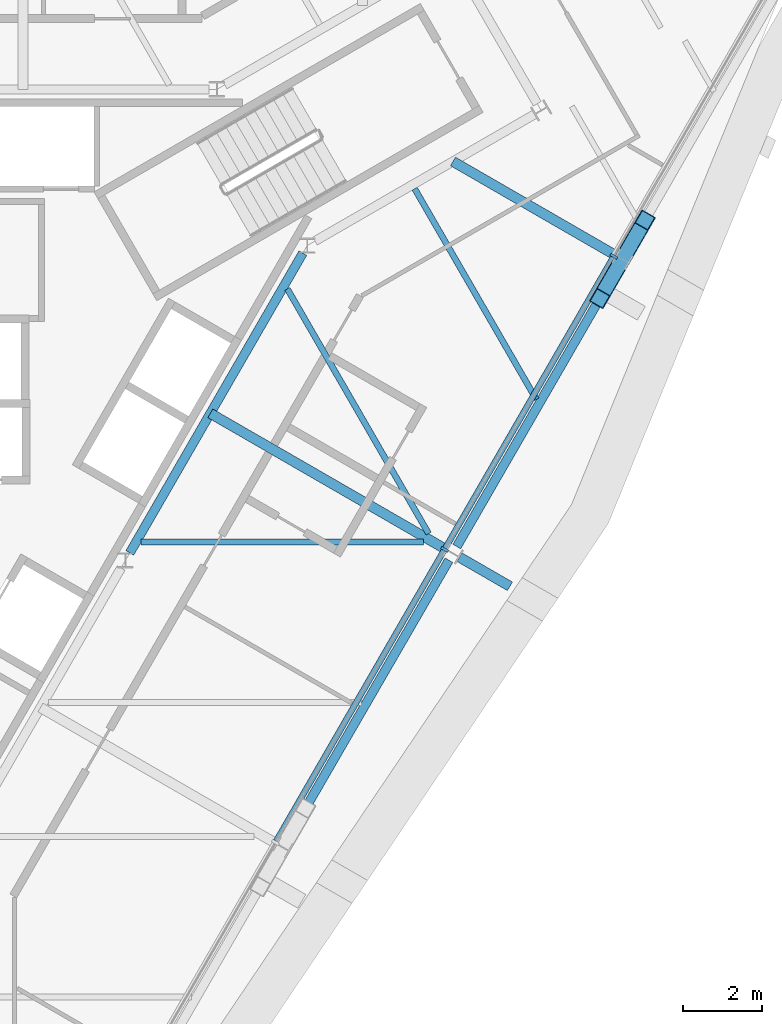
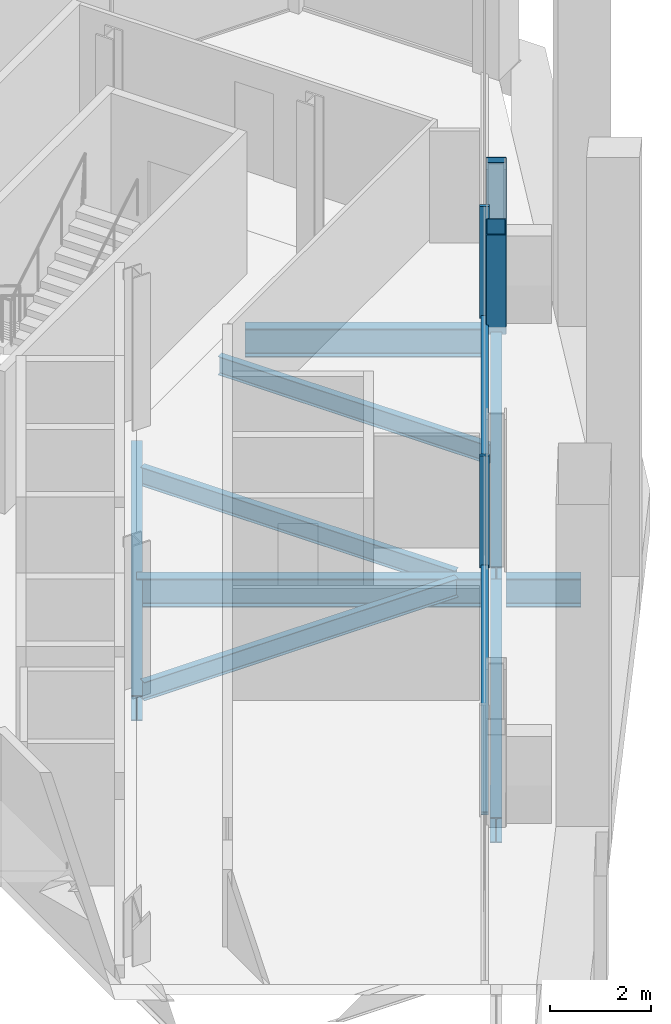
# One storey, part 4 of 14: 9 beams, 6 members, 1 element without a shape of its own.
"""IFC4 building model written with IfcOpenShell, lengths in metres."""

from ifc_helpers import new_model, si_unit, direction, frame, origin, origin_2d, place, context, subcontext, project, spatial, rectangle, hollow_rectangle, i_section, extrude, material, material_profile, profile_set, type_object, element, aggregate, save


model = new_model("IFC4")

# Units and contexts
model_context = context("Model", 3, precision=1e-05, world=origin(), true_north=direction((0.0, 1.0)))
body_context = subcontext(model_context, "Body", "Model", "MODEL_VIEW")
ifc_project = project(units=[si_unit("LENGTHUNIT", "METRE"), si_unit("AREAUNIT", "SQUARE_METRE"), si_unit("VOLUMEUNIT", "CUBIC_METRE"), si_unit("PLANEANGLEUNIT", "RADIAN"), si_unit("MASSUNIT", "GRAM", prefix="KILO")], contexts=[model_context])

# Site, building, storey
site_placement = place(None, origin())
site = spatial("IfcSite", under=ifc_project, at=site_placement, CompositionType="ELEMENT")
building_placement = place(site_placement, origin())
building = spatial("IfcBuilding", under=site, at=building_placement, Name="Verrane Prism Tower", CompositionType="ELEMENT")
storey_placement = place(building_placement, frame((0.0, 0.0, 206.39990234375)))
storey = spatial("IfcBuildingStorey", under=building, at=storey_placement, Name="L51", CompositionType="ELEMENT", Elevation=206.39990234375)

# Beam
ifc_material_1 = material(Name="Steel A992", Category="steel")
ifc_material_profile_1 = material_profile(ifc_material_1, i_section(OverallWidth=0.23046875, OverallDepth=0.6171875, WebThickness=0.01318359375, FlangeThickness=0.022216796875, FilletRadius=0.012939453125, at=origin_2d()), Name="W24x94")
ifc_profile_set_1 = profile_set([ifc_material_profile_1], Name="Steel A992")
beam_type_1 = type_object("IfcBeamType", Name="Core ring girder W24x94", PredefinedType="BEAM", material=ifc_profile_set_1)
beam_1_placement = place(storey_placement, frame((7.04150390625, -3.806884765625, -0.55859375), z_axis=(0.499967007444, 0.866044451208, 0.0), x_axis=(-0.866044451208, 0.499967007444, 0.0)))
element("IfcBeam", 1, at=beam_1_placement, inside=storey, type_object=beam_type_1, Name="Core ring girder L51", PredefinedType="BEAM", context=body_context, shape_type="SweptSolid", body=[
    extrude(i_section(OverallWidth=0.23046875, OverallDepth=0.6171875, WebThickness=0.01318359375, FlangeThickness=0.022216796875, FilletRadius=0.012939453125, at=origin_2d()), origin(), (0.0, 0.0, 1.0), 8.814453125),
])

# Members
ifc_material_2 = material(Name="Steel A500 Grade C", Category="steel")
ifc_material_profile_2 = material_profile(ifc_material_2, hollow_rectangle(XDim=0.406494140625, YDim=0.406494140625, WallThickness=0.01904296875, InnerFilletRadius=0.009521484375, OuterFilletRadius=0.028564453125, at=origin_2d()), Name="HSS16x16x3/4")
ifc_profile_set_2 = profile_set([ifc_material_profile_2], Name="Steel A500 Grade C")
member_type_1 = type_object("IfcMemberType", Name="Facade brace HSS16x16x3/4", PredefinedType="BRACE", material=ifc_profile_set_2)
for number, where, z_axis, x_axis, name in (
    (2, (19.54052734375, 3.583984375, -0.171630859375), (-0.158225916084, -0.274268053334, 0.948547096564), (0.86619331399, -0.499709058151, 0.0), "Facade brace SE3 L51"),
    (3, (19.639404296875, 3.755859375, -0.171630859375), (0.158222726519, 0.274336013979, 0.948527975469), (-0.866251253749, 0.499608612194, 0.0), "Facade brace SE4 L51"),
):
    element("IfcMember", number, at=place(storey_placement, frame(where, z_axis=z_axis, x_axis=x_axis)), inside=storey, type_object=member_type_1, Name=name, PredefinedType="BRACE", context=body_context, shape_type="SweptSolid", body=[
        extrude(hollow_rectangle(XDim=0.406494140625, YDim=0.406494140625, WallThickness=0.01904296875, InnerFilletRadius=0.009521484375, OuterFilletRadius=0.028564453125, at=origin_2d()), origin(), (0.0, 0.0, 1.0), 3.322021484375),
    ])

# Beams
ifc_material_3 = material(Name="Steel A992", Category="steel")
ifc_material_profile_3 = material_profile(ifc_material_3, i_section(OverallWidth=0.15234375, OverallDepth=0.449462890625, WebThickness=0.007568359375, FlangeThickness=0.0107421875, FilletRadius=0.01025390625, at=origin_2d()), Name="W18x35")
ifc_profile_set_3 = profile_set([ifc_material_profile_3], Name="Steel A992")
beam_type_2 = type_object("IfcBeamType", Name="Floor beam W18x35", PredefinedType="BEAM", material=ifc_profile_set_3)
beam_2_placement = place(storey_placement, frame((7.32958984375, -3.53662109375, -0.384765625), z_axis=(1.0, 0.0, 0.0), x_axis=(0.0, 1.0, 0.0)))
element("IfcBeam", 4, at=beam_2_placement, inside=storey, type_object=beam_type_2, Name="Floor beam L51", PredefinedType="BEAM", context=body_context, shape_type="SweptSolid", body=[
    extrude(i_section(OverallWidth=0.15234375, OverallDepth=0.449462890625, WebThickness=0.007568359375, FlangeThickness=0.0107421875, FilletRadius=0.01025390625, at=origin_2d()), origin(), (0.0, 0.0, 1.0), 7.19580078125),
])
beam_3_placement = place(storey_placement, frame((17.3974609375, 0.098876953125, -0.384765625), z_axis=(-0.499994080864, 0.866028821172, 0.0), x_axis=(-0.866028821172, -0.499994080864, 0.0)))
element("IfcBeam", 5, at=beam_3_placement, inside=storey, type_object=beam_type_2, Name="Floor beam L51", PredefinedType="BEAM", context=body_context, shape_type="SweptSolid", body=[
    extrude(i_section(OverallWidth=0.15234375, OverallDepth=0.449462890625, WebThickness=0.007568359375, FlangeThickness=0.0107421875, FilletRadius=0.01025390625, at=origin_2d()), origin(), (0.0, 0.0, 1.0), 6.1982421875),
])
beam_4_placement = place(storey_placement, frame((14.6533203125, -3.317138671875, -0.384765625), z_axis=(-0.500002364004, 0.866024038922, 0.0), x_axis=(-0.866024038922, -0.500002364004, 0.0)))
element("IfcBeam", 6, at=beam_4_placement, inside=storey, type_object=beam_type_2, Name="Floor beam L51", PredefinedType="BEAM", context=body_context, shape_type="SweptSolid", body=[
    extrude(i_section(OverallWidth=0.15234375, OverallDepth=0.449462890625, WebThickness=0.007568359375, FlangeThickness=0.0107421875, FilletRadius=0.01025390625, at=origin_2d()), origin(), (0.0, 0.0, 1.0), 7.19775390625),
])

# Curtain wall, members
ifc_material_4 = material(Name="Aluminium framed insulated glazing", Category="aluminium")
curtain_wall_type = type_object("IfcCurtainWallType", Name="Curtain wall CW-A 8400 module", PredefinedType="NOTDEFINED", material=ifc_material_4)
curtain_wall_placement = place(storey_placement, origin())
curtain_wall = element("IfcCurtainWall", 7, at=curtain_wall_placement, inside=storey, type_object=curtain_wall_type, Name="Glazed curtain wall south-east face L51", PredefinedType="NOTDEFINED")
ifc_material_5 = material(Name="Aluminium alloy 6063-T6", Category="aluminium")
ifc_material_profile_4 = material_profile(ifc_material_5, rectangle(XDim=0.199951171875, YDim=0.070068359375, at=origin_2d()), Name="Mullion 70x200 aluminium")
ifc_profile_set_4 = profile_set([ifc_material_profile_4], Name="Aluminium alloy 6063-T6")
member_type_2 = type_object("IfcMemberType", Name="Mullion 70x200 aluminium", PredefinedType="MULLION", material=ifc_profile_set_4)
member_1_placement = place(storey_placement, frame((15.060302734375, -3.71826171875, 0.0), z_axis=(0.0, 0.0, 1.0), x_axis=(-0.866026096662, 0.499998799899, 0.0)))
member_1 = element("IfcMember", 8, at=member_1_placement, type_object=member_type_2, Name="CW51.6 mullion 4", PredefinedType="MULLION", context=body_context, shape_type="SweptSolid", body=[
    extrude(rectangle(XDim=0.199951171875, YDim=0.070068359375, at=origin_2d()), origin(), (0.0, 0.0, 1.0), 2.712890625),
])
member_2_placement = place(storey_placement, frame((19.37060546875, 3.747314453125, 0.0), z_axis=(0.0, 0.0, 1.0), x_axis=(-0.866026096662, 0.499998799899, 0.0)))
member_2 = element("IfcMember", 9, at=member_2_placement, type_object=member_type_2, Name="CW51.6 mullion 5", PredefinedType="MULLION", context=body_context, shape_type="SweptSolid", body=[
    extrude(rectangle(XDim=0.199951171875, YDim=0.070068359375, at=origin_2d()), origin(), (0.0, 0.0, 1.0), 2.712890625),
])

# Beams
ifc_material_6 = material(Name="Steel A992", Category="steel")
ifc_material_profile_5 = material_profile(ifc_material_6, i_section(OverallWidth=0.25390625, OverallDepth=0.683349609375, WebThickness=0.012451171875, FlangeThickness=0.01904296875, FilletRadius=0.01513671875, at=origin_2d()), Name="W27x94")
ifc_profile_set_5 = profile_set([ifc_material_profile_5], Name="Steel A992")
beam_type_3 = type_object("IfcBeamType", Name="Radial girder W27x94", PredefinedType="BEAM", material=ifc_profile_set_5)
beam_5_placement = place(storey_placement, frame((15.097412109375, -3.72021484375, -0.5615234375), z_axis=(-0.866039581409, 0.499975442831, 0.0), x_axis=(-0.499975442831, -0.866039581409, 0.0)))
element("IfcBeam", 10, at=beam_5_placement, inside=storey, type_object=beam_type_3, Name="Radial girder L51", PredefinedType="BEAM", context=body_context, shape_type="SweptSolid", body=[
    extrude(i_section(OverallWidth=0.25390625, OverallDepth=0.683349609375, WebThickness=0.012451171875, FlangeThickness=0.01904296875, FilletRadius=0.01513671875, at=origin_2d()), origin(), (0.0, 0.0, 1.0), 6.933349609375),
])
beam_6_placement = place(storey_placement, frame((19.417236328125, 3.769775390625, -0.5615234375), z_axis=(-0.866040325021, 0.49997415477, 0.0), x_axis=(-0.49997415477, -0.866040325021, 0.0)))
element("IfcBeam", 11, at=beam_6_placement, inside=storey, type_object=beam_type_3, Name="Radial girder L51", PredefinedType="BEAM", context=body_context, shape_type="SweptSolid", body=[
    extrude(i_section(OverallWidth=0.25390625, OverallDepth=0.683349609375, WebThickness=0.012451171875, FlangeThickness=0.01904296875, FilletRadius=0.01513671875, at=origin_2d()), origin(), (0.0, 0.0, 1.0), 4.785888671875),
])
beam_7_placement = place(storey_placement, frame((15.439208984375, -3.917724609375, -0.5615234375), z_axis=(0.866067759775, -0.499926630096, 0.0), x_axis=(0.499926630096, 0.866067759775, 0.0)))
element("IfcBeam", 12, at=beam_7_placement, inside=storey, type_object=beam_type_3, Name="Cantilever girder L51", PredefinedType="BEAM", context=body_context, shape_type="SweptSolid", body=[
    extrude(i_section(OverallWidth=0.25390625, OverallDepth=0.683349609375, WebThickness=0.012451171875, FlangeThickness=0.01904296875, FilletRadius=0.01513671875, at=origin_2d()), origin(), (0.0, 0.0, 1.0), 1.483642578125),
])
ifc_material_7 = material(Name="Steel A992", Category="steel")
ifc_material_profile_6 = material_profile(ifc_material_7, i_section(OverallWidth=0.23046875, OverallDepth=0.6171875, WebThickness=0.01318359375, FlangeThickness=0.022216796875, FilletRadius=0.012939453125, at=origin_2d()), Name="W24x94")
ifc_profile_set_6 = profile_set([ifc_material_profile_6], Name="Steel A992")
beam_type_4 = type_object("IfcBeamType", Name="Spandrel beam W24x94", PredefinedType="SPANDREL", material=ifc_profile_set_6)
beam_8_placement = place(storey_placement, frame((11.040283203125, -11.13623046875, -0.468505859375), z_axis=(0.500511266251, 0.865730022788, 0.0), x_axis=(-0.865730022788, 0.500511266251, 0.0)))
element("IfcBeam", 13, at=beam_8_placement, inside=storey, type_object=beam_type_4, Name="Spandrel beam L51", PredefinedType="SPANDREL", context=body_context, shape_type="SweptSolid", body=[
    extrude(i_section(OverallWidth=0.23046875, OverallDepth=0.6171875, WebThickness=0.01318359375, FlangeThickness=0.022216796875, FilletRadius=0.012939453125, at=origin_2d()), origin(), (0.0, 0.0, 1.0), 8.250244140625),
])
beam_9_placement = place(storey_placement, frame((15.370361328125, -3.646240234375, -0.468505859375), z_axis=(0.499613933384, 0.866248184742, 0.0), x_axis=(-0.866248184742, 0.499613933384, 0.0)))
element("IfcBeam", 14, at=beam_9_placement, inside=storey, type_object=beam_type_4, Name="Spandrel beam L51", PredefinedType="SPANDREL", context=body_context, shape_type="SweptSolid", body=[
    extrude(i_section(OverallWidth=0.23046875, OverallDepth=0.6171875, WebThickness=0.01318359375, FlangeThickness=0.022216796875, FilletRadius=0.012939453125, at=origin_2d()), origin(), (0.0, 0.0, 1.0), 8.2451171875),
])

# Member
ifc_material_8 = material(Name="Aluminium alloy 6063-T6", Category="aluminium")
ifc_material_profile_7 = material_profile(ifc_material_8, rectangle(XDim=0.14990234375, YDim=0.070068359375, at=origin_2d()), Name="Transom 70x150 aluminium")
ifc_profile_set_7 = profile_set([ifc_material_profile_7], Name="Aluminium alloy 6063-T6")
member_type_3 = type_object("IfcMemberType", Name="Transom 70x150 aluminium", PredefinedType="USERDEFINED", material=ifc_profile_set_7)
member_3_placement = place(storey_placement, frame((10.767822265625, -11.1533203125, 0.03515625), z_axis=(0.499999279071, 0.866025820012, 0.0), x_axis=(-0.866025820012, 0.499999279071, 0.0)))
member_3 = element("IfcMember", 15, at=member_3_placement, type_object=member_type_3, Name="CW51.6 transom 3", ObjectType="TRANSOM", PredefinedType="USERDEFINED", context=body_context, shape_type="SweptSolid", body=[
    extrude(rectangle(XDim=0.14990234375, YDim=0.070068359375, at=origin_2d()), origin(), (0.0, 0.0, 1.0), 8.55029296875),
])

member_4_placement = place(storey_placement, frame((15.077880859375, -3.68798828125, 0.03515625), z_axis=(0.499986915336, 0.866032958087, 0.0), x_axis=(-0.866032958087, 0.499986915336, 0.0)))
member_4 = element("IfcMember", 16, at=member_4_placement, type_object=member_type_3, Name="CW51.6 transom 4", ObjectType="TRANSOM", PredefinedType="USERDEFINED", context=body_context, shape_type="SweptSolid", body=[
    extrude(rectangle(XDim=0.14990234375, YDim=0.070068359375, at=origin_2d()), origin(), (0.0, 0.0, 1.0), 8.550537109375),
])

aggregate(curtain_wall, [member_1, member_2, member_3, member_4])

save(model, "model.ifc")
